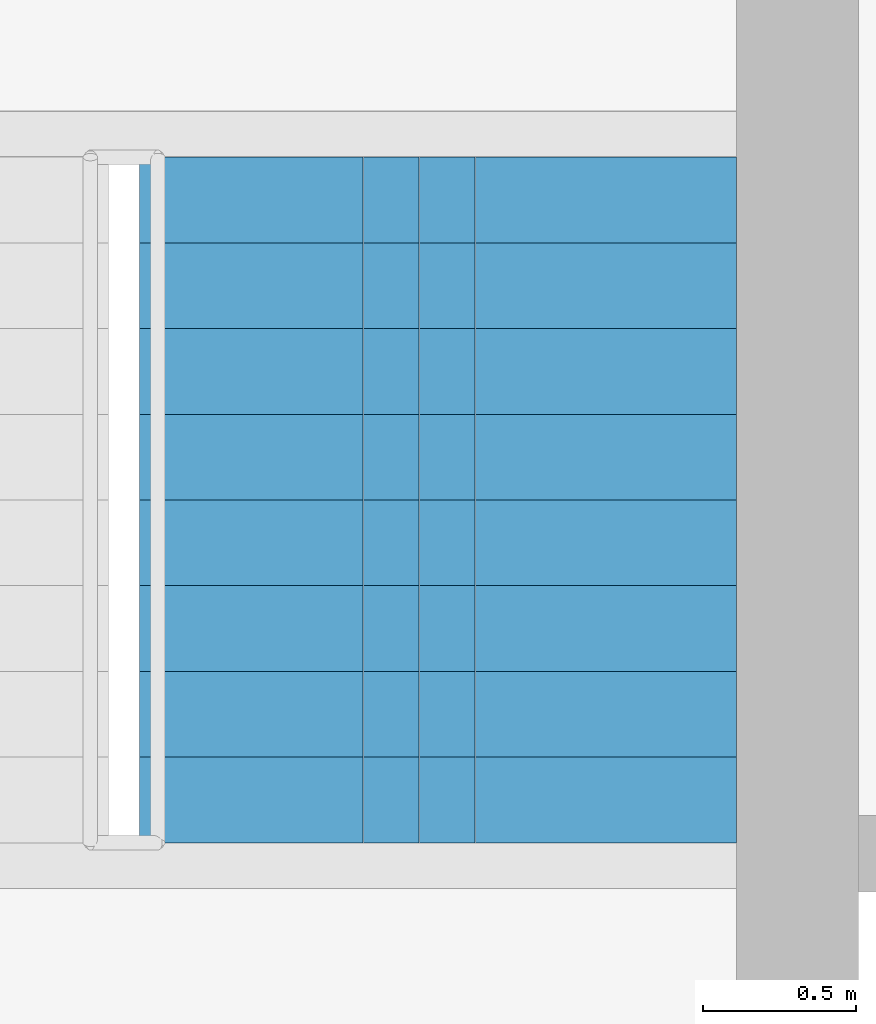
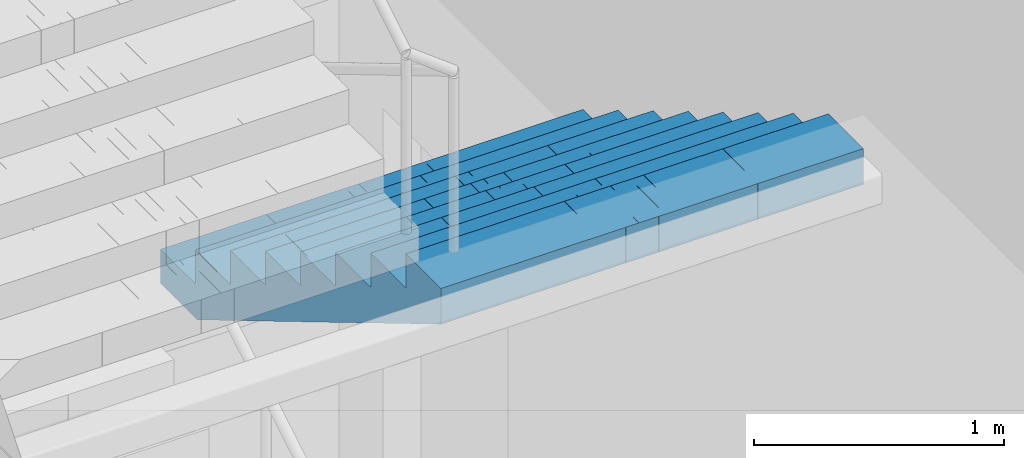
# One storey, part 18 of 19: 1 stair flight, 1 element without a shape of its own.
"""IFC4 building model written with IfcOpenShell, lengths in metres."""

from ifc_helpers import new_model, si_unit, direction, frame, origin, place, context, subcontext, project, spatial, polyline, outline, extrude, material, type_object, element, aggregate, save


model = new_model("IFC4")

# Units and contexts
model_context = context("Model", 3, precision=1e-05, world=origin(), true_north=direction((0.0, 1.0)))
body_context = subcontext(model_context, "Body", "Model", "MODEL_VIEW")
ifc_project = project(units=[si_unit("LENGTHUNIT", "METRE"), si_unit("AREAUNIT", "SQUARE_METRE"), si_unit("VOLUMEUNIT", "CUBIC_METRE"), si_unit("PLANEANGLEUNIT", "RADIAN"), si_unit("MASSUNIT", "GRAM", prefix="KILO")], contexts=[model_context])

# Site, building, storey
site_placement = place(None, origin())
site = spatial("IfcSite", under=ifc_project, at=site_placement, CompositionType="ELEMENT")
building_placement = place(site_placement, origin())
building = spatial("IfcBuilding", under=site, at=building_placement, Name="Mizan Broadcast Tower", CompositionType="ELEMENT")
storey_placement = place(building_placement, frame((0.0, 0.0, 198.89990234375)))
storey = spatial("IfcBuildingStorey", under=building, at=storey_placement, Name="L46", CompositionType="ELEMENT", Elevation=198.89990234375)

# Stair, stair flight
ifc_material_1 = material(Name="Concrete C40/50", Category="concrete")
stair_type = type_object("IfcStairType", Name="EXIT STAIR", PredefinedType="HALF_TURN_STAIR", material=ifc_material_1)
stair_placement = place(storey_placement, origin())
stair = element("IfcStair", 1, at=stair_placement, inside=storey, type_object=stair_type, Name="Stair B L46", PredefinedType="HALF_TURN_STAIR")
ifc_material_2 = material(Name="Concrete C40/50", Category="concrete")
stair_flight_type = type_object("IfcStairFlightType", Name="EXIT STAIR FLIGHT", PredefinedType="STRAIGHT", material=ifc_material_2)
stair_flight_placement = place(storey_placement, frame((1.02490234375, 7.89990234375, 3.0), z_axis=(0.0, 0.0, 1.0), x_axis=(0.0, -1.0, 0.0)))
stair_flight = element("IfcStairFlight", 2, at=stair_flight_placement, type_object=stair_flight_type, Name="B flight 3", NumberOfRisers=9, NumberOfTreads=8, PredefinedType="STRAIGHT", RiserHeight=0.166666667, TreadLength=0.28, context=body_context, shape_type="SweptSolid", body=[
    extrude(outline(polyline([(0.0, 0.0), (0.0, 0.166748046875), (0.280029296875, 0.166748046875), (0.280029296875, 0.333251953125), (0.56005859375, 0.333251953125), (0.56005859375, 0.5), (0.840087890625, 0.5), (0.840087890625, 0.666748046875), (1.1201171875, 0.666748046875), (1.1201171875, 0.833251953125), (1.39990234375, 0.833251953125), (1.39990234375, 1.0), (1.679931640625, 1.0), (1.679931640625, 1.166748046875), (1.9599609375, 1.166748046875), (1.9599609375, 1.333251953125), (2.239990234375, 1.333251953125), (2.239990234375, 1.5), (2.239990234375, 1.158935546875), (0.29296875, 0.0), (0.0, 0.0)])), frame((0.0, 0.97509765625, 0.0), z_axis=(0.0, -1.0, 0.0), x_axis=(1.0, 0.0, 0.0)), (0.0, 0.0, 1.0), 0.4873046875),
    extrude(outline(polyline([(0.0, 0.0), (0.0, 0.166748046875), (0.280029296875, 0.166748046875), (0.280029296875, 0.333251953125), (0.56005859375, 0.333251953125), (0.56005859375, 0.5), (0.840087890625, 0.5), (0.840087890625, 0.666748046875), (1.1201171875, 0.666748046875), (1.1201171875, 0.833251953125), (1.39990234375, 0.833251953125), (1.39990234375, 1.0), (1.679931640625, 1.0), (1.679931640625, 1.166748046875), (1.9599609375, 1.166748046875), (1.9599609375, 1.333251953125), (2.239990234375, 1.333251953125), (2.239990234375, 1.5), (2.239990234375, 1.158935546875), (0.29296875, 0.0), (0.0, 0.0)])), frame((0.0, 0.4873046875, 0.0), z_axis=(0.0, -1.0, 0.0), x_axis=(1.0, 0.0, 0.0)), (0.0, 0.0, 1.0), 0.2431640625),
    extrude(outline(polyline([(0.0, 0.0), (0.0, 0.166748046875), (0.280029296875, 0.166748046875), (0.280029296875, 0.333251953125), (0.56005859375, 0.333251953125), (0.56005859375, 0.5), (0.840087890625, 0.5), (0.840087890625, 0.666748046875), (1.1201171875, 0.666748046875), (1.1201171875, 0.833251953125), (1.39990234375, 0.833251953125), (1.39990234375, 1.0), (1.679931640625, 1.0), (1.679931640625, 1.166748046875), (1.9599609375, 1.166748046875), (1.9599609375, 1.333251953125), (2.239990234375, 1.333251953125), (2.239990234375, 1.5), (2.239990234375, 1.158935546875), (0.29296875, 0.0), (0.0, 0.0)])), frame((0.0, 0.24365234375, 0.0), z_axis=(0.0, -1.0, 0.0), x_axis=(1.0, 0.0, 0.0)), (0.0, 0.0, 1.0), 0.121337890625),
    extrude(outline(polyline([(0.0, 0.0), (0.0, 0.166748046875), (0.280029296875, 0.166748046875), (0.280029296875, 0.333251953125), (0.56005859375, 0.333251953125), (0.56005859375, 0.5), (0.840087890625, 0.5), (0.840087890625, 0.666748046875), (1.1201171875, 0.666748046875), (1.1201171875, 0.833251953125), (1.39990234375, 0.833251953125), (1.39990234375, 1.0), (1.679931640625, 1.0), (1.679931640625, 1.166748046875), (1.9599609375, 1.166748046875), (1.9599609375, 1.333251953125), (2.239990234375, 1.333251953125), (2.239990234375, 1.5), (2.239990234375, 1.158935546875), (0.29296875, 0.0), (0.0, 0.0)])), frame((0.0, 0.121826171875, 0.0), z_axis=(0.0, -1.0, 0.0), x_axis=(1.0, 0.0, 0.0)), (0.0, 0.0, 1.0), 0.060546875),
    extrude(outline(polyline([(0.0, 0.0), (0.0, 0.166748046875), (0.280029296875, 0.166748046875), (0.280029296875, 0.333251953125), (0.56005859375, 0.333251953125), (0.56005859375, 0.5), (0.840087890625, 0.5), (0.840087890625, 0.666748046875), (1.1201171875, 0.666748046875), (1.1201171875, 0.833251953125), (1.39990234375, 0.833251953125), (1.39990234375, 1.0), (1.679931640625, 1.0), (1.679931640625, 1.166748046875), (1.9599609375, 1.166748046875), (1.9599609375, 1.333251953125), (2.239990234375, 1.333251953125), (2.239990234375, 1.5), (2.239990234375, 1.158935546875), (0.29296875, 0.0), (0.0, 0.0)])), frame((0.0, 0.060791015625, 0.0), z_axis=(0.0, -1.0, 0.0), x_axis=(1.0, 0.0, 0.0)), (0.0, 0.0, 1.0), 0.030029296875),
    extrude(outline(polyline([(0.0, 0.0), (0.0, 0.166748046875), (0.280029296875, 0.166748046875), (0.280029296875, 0.333251953125), (0.56005859375, 0.333251953125), (0.56005859375, 0.5), (0.840087890625, 0.5), (0.840087890625, 0.666748046875), (1.1201171875, 0.666748046875), (1.1201171875, 0.833251953125), (1.39990234375, 0.833251953125), (1.39990234375, 1.0), (1.679931640625, 1.0), (1.679931640625, 1.166748046875), (1.9599609375, 1.166748046875), (1.9599609375, 1.333251953125), (2.239990234375, 1.333251953125), (2.239990234375, 1.5), (2.239990234375, 1.158935546875), (0.29296875, 0.0), (0.0, 0.0)])), frame((0.0, 0.0302734375, 0.0), z_axis=(0.0, -1.0, 0.0), x_axis=(1.0, 0.0, 0.0)), (0.0, 0.0, 1.0), 0.060302734375),
    extrude(outline(polyline([(0.0, 0.0), (0.0, 0.166748046875), (0.280029296875, 0.166748046875), (0.280029296875, 0.333251953125), (0.56005859375, 0.333251953125), (0.56005859375, 0.5), (0.840087890625, 0.5), (0.840087890625, 0.666748046875), (1.1201171875, 0.666748046875), (1.1201171875, 0.833251953125), (1.39990234375, 0.833251953125), (1.39990234375, 1.0), (1.679931640625, 1.0), (1.679931640625, 1.166748046875), (1.9599609375, 1.166748046875), (1.9599609375, 1.333251953125), (2.239990234375, 1.333251953125), (2.239990234375, 1.5), (2.239990234375, 1.158935546875), (0.29296875, 0.0), (0.0, 0.0)])), frame((0.0, -0.030517578125, 0.0), z_axis=(0.0, -1.0, 0.0), x_axis=(1.0, 0.0, 0.0)), (0.0, 0.0, 1.0), 0.030029296875),
    extrude(outline(polyline([(0.0, 0.0), (0.0, 0.166748046875), (0.280029296875, 0.166748046875), (0.280029296875, 0.333251953125), (0.56005859375, 0.333251953125), (0.56005859375, 0.5), (0.840087890625, 0.5), (0.840087890625, 0.666748046875), (1.1201171875, 0.666748046875), (1.1201171875, 0.833251953125), (1.39990234375, 0.833251953125), (1.39990234375, 1.0), (1.679931640625, 1.0), (1.679931640625, 1.166748046875), (1.9599609375, 1.166748046875), (1.9599609375, 1.333251953125), (2.239990234375, 1.333251953125), (2.239990234375, 1.5), (2.239990234375, 1.158935546875), (0.29296875, 0.0), (0.0, 0.0)])), frame((0.0, -0.06103515625, 0.0), z_axis=(0.0, -1.0, 0.0), x_axis=(1.0, 0.0, 0.0)), (0.0, 0.0, 1.0), 0.060546875),
    extrude(outline(polyline([(0.0, 0.0), (0.0, 0.166748046875), (0.280029296875, 0.166748046875), (0.280029296875, 0.333251953125), (0.56005859375, 0.333251953125), (0.56005859375, 0.5), (0.840087890625, 0.5), (0.840087890625, 0.666748046875), (1.1201171875, 0.666748046875), (1.1201171875, 0.833251953125), (1.39990234375, 0.833251953125), (1.39990234375, 1.0), (1.679931640625, 1.0), (1.679931640625, 1.166748046875), (1.9599609375, 1.166748046875), (1.9599609375, 1.333251953125), (2.239990234375, 1.333251953125), (2.239990234375, 1.5), (2.239990234375, 1.158935546875), (0.29296875, 0.0), (0.0, 0.0)])), frame((0.0, -0.1220703125, 0.0), z_axis=(0.0, -1.0, 0.0), x_axis=(1.0, 0.0, 0.0)), (0.0, 0.0, 1.0), 0.121337890625),
    extrude(outline(polyline([(0.0, 0.0), (0.0, 0.166748046875), (0.280029296875, 0.166748046875), (0.280029296875, 0.333251953125), (0.56005859375, 0.333251953125), (0.56005859375, 0.5), (0.840087890625, 0.5), (0.840087890625, 0.666748046875), (1.1201171875, 0.666748046875), (1.1201171875, 0.833251953125), (1.39990234375, 0.833251953125), (1.39990234375, 1.0), (1.679931640625, 1.0), (1.679931640625, 1.166748046875), (1.9599609375, 1.166748046875), (1.9599609375, 1.333251953125), (2.239990234375, 1.333251953125), (2.239990234375, 1.5), (2.239990234375, 1.158935546875), (0.29296875, 0.0), (0.0, 0.0)])), frame((0.0, -0.243896484375, 0.0), z_axis=(0.0, -1.0, 0.0), x_axis=(1.0, 0.0, 0.0)), (0.0, 0.0, 1.0), 0.2431640625),
    extrude(outline(polyline([(0.0, 0.0), (0.0, 0.166748046875), (0.280029296875, 0.166748046875), (0.280029296875, 0.333251953125), (0.56005859375, 0.333251953125), (0.56005859375, 0.5), (0.840087890625, 0.5), (0.840087890625, 0.666748046875), (1.1201171875, 0.666748046875), (1.1201171875, 0.833251953125), (1.39990234375, 0.833251953125), (1.39990234375, 1.0), (1.679931640625, 1.0), (1.679931640625, 1.166748046875), (1.9599609375, 1.166748046875), (1.9599609375, 1.333251953125), (2.239990234375, 1.333251953125), (2.239990234375, 1.5), (2.239990234375, 1.158935546875), (0.29296875, 0.0), (0.0, 0.0)])), frame((0.0, -0.487548828125, 0.0), z_axis=(0.0, -1.0, 0.0), x_axis=(1.0, 0.0, 0.0)), (0.0, 0.0, 1.0), 0.4873046875),
])
aggregate(stair, [stair_flight])

save(model, "model.ifc")
